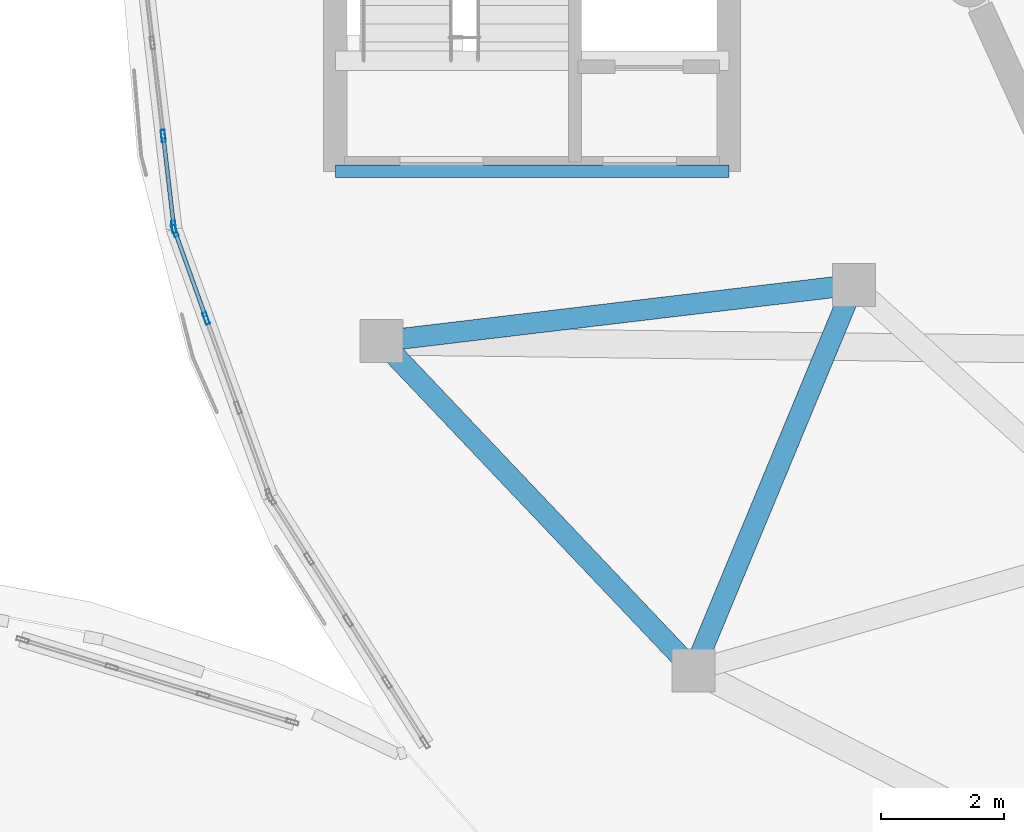
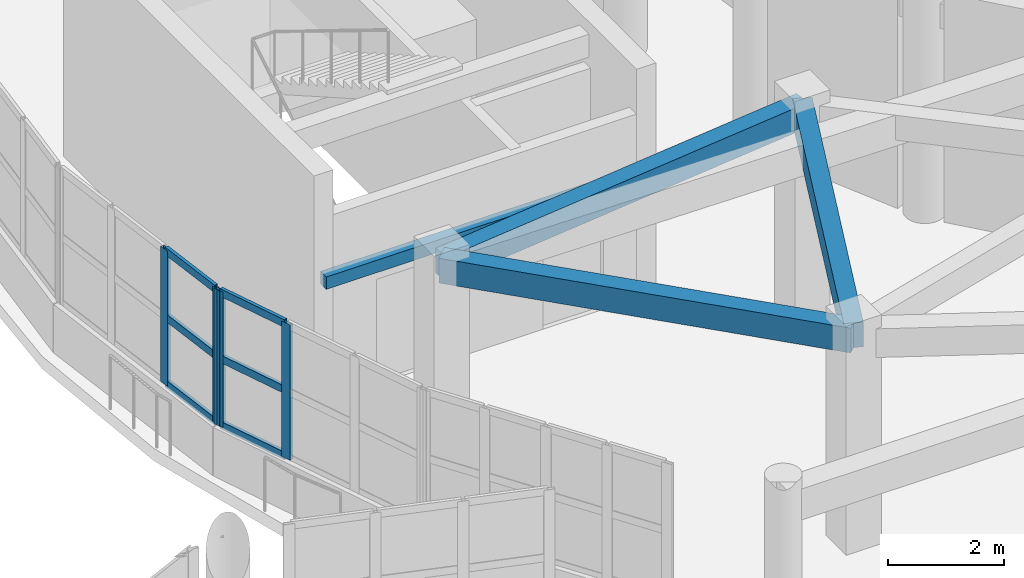
# One storey, part 36 of 98: 10 members, 4 beams, 2 elements without a shape of their own.
"""IFC4 building model written with IfcOpenShell, lengths in metres."""

from ifc_helpers import new_model, si_unit, direction, frame, origin, origin_2d, place, context, subcontext, project, spatial, rectangle, hollow_rectangle, extrude, material, layer, layer_set, material_profile, profile_set, type_object, element, aggregate, save


model = new_model("IFC4")

# Units and contexts
model_context = context("Model", 3, precision=1e-05, world=origin(), true_north=direction((0.0, 1.0)))
body_context = subcontext(model_context, "Body", "Model", "MODEL_VIEW")
ifc_project = project(units=[si_unit("LENGTHUNIT", "METRE"), si_unit("AREAUNIT", "SQUARE_METRE"), si_unit("VOLUMEUNIT", "CUBIC_METRE"), si_unit("PLANEANGLEUNIT", "RADIAN"), si_unit("MASSUNIT", "GRAM", prefix="KILO")], contexts=[model_context])

# Site, building, storey
site_placement = place(None, origin())
site = spatial("IfcSite", under=ifc_project, at=site_placement, CompositionType="ELEMENT")
building_placement = place(site_placement, origin())
building = spatial("IfcBuilding", under=site, at=building_placement, Name="Pelvatis Terrace Science Centre", CompositionType="ELEMENT")
storey_placement = place(building_placement, frame((0.0, 0.0, 5.39990234375)))
storey = spatial("IfcBuildingStorey", under=building, at=storey_placement, Name="L01", CompositionType="ELEMENT", Elevation=5.39990234375)

# Beams
ifc_material_1 = material(Name="Concrete C35/45", Category="concrete")
ifc_material_profile_1 = material_profile(ifc_material_1, rectangle(XDim=0.340087890625, YDim=0.52001953125, at=origin_2d()), Name="RC-BM 340x520")
ifc_profile_set_1 = profile_set([ifc_material_profile_1], Name="Concrete C35/45")
beam_type_1 = type_object("IfcBeamType", Name="BM-RC-340x520", PredefinedType="BEAM", material=ifc_profile_set_1)
beam_1_placement = place(storey_placement, frame((87.548583984375, 76.43798828125, 4.280029296875), z_axis=(0.688284988325, -0.725440400616, 0.0), x_axis=(0.725440400616, 0.688284988325, 0.0)))
element("IfcBeam", 1, at=beam_1_placement, inside=storey, type_object=beam_type_1, Name="Beam BM-L01-2636", PredefinedType="BEAM", context=body_context, shape_type="SweptSolid", body=[
    extrude(rectangle(XDim=0.340087890625, YDim=0.52001953125, at=origin_2d()), origin(), (0.0, 0.0, 1.0), 7.37890625),
])
beam_2_placement = place(storey_placement, frame((87.548583984375, 76.43798828125, 4.280029296875), z_axis=(0.992948179186, 0.118549202657, 0.0), x_axis=(-0.118549202657, 0.992948179186, 0.0)))
element("IfcBeam", 2, at=beam_2_placement, inside=storey, type_object=beam_type_1, Name="Beam BM-L01-2637", PredefinedType="BEAM", context=body_context, shape_type="SweptSolid", body=[
    extrude(rectangle(XDim=0.340087890625, YDim=0.52001953125, at=origin_2d()), origin(), (0.0, 0.0, 1.0), 7.737060546875),
])
beam_3_placement = place(storey_placement, frame((92.62744140625, 71.0849609375, 4.280029296875), z_axis=(0.383504415053, 0.923539042832, 0.0), x_axis=(-0.923539042832, 0.383504415053, 0.0)))
element("IfcBeam", 3, at=beam_3_placement, inside=storey, type_object=beam_type_1, Name="Beam BM-L01-2639", PredefinedType="BEAM", context=body_context, shape_type="SweptSolid", body=[
    extrude(rectangle(XDim=0.340087890625, YDim=0.52001953125, at=origin_2d()), origin(), (0.0, 0.0, 1.0), 6.789306640625),
])

# Curtain wall, members
ifc_material_2 = material(Name="Bronze-anodised aluminium and laminated glass", Category="aluminium")
ifc_layer = layer(ifc_material_2, 0.199951171875)
ifc_layer_set = layer_set([ifc_layer], Name="Bronze-anodised aluminium and laminated glass")
curtain_wall_type = type_object("IfcCurtainWallType", Name="CW-RIBBON-B", PredefinedType="NOTDEFINED", material=ifc_layer_set)
curtain_wall_1_placement = place(storey_placement, origin())
curtain_wall_1 = element("IfcCurtainWall", 4, at=curtain_wall_1_placement, inside=storey, type_object=curtain_wall_type, Name="Ribbon curtain wall CW-141 (L01)", PredefinedType="NOTDEFINED")
ifc_material_3 = material(Name="Bronze-anodised aluminium 6063-T6", Category="aluminium")
ifc_material_profile_2 = material_profile(ifc_material_3, hollow_rectangle(XDim=0.06494140625, YDim=0.199951171875, WallThickness=0.00439453125, at=origin_2d()), Name="ALU-MUL 65x200")
ifc_profile_set_2 = profile_set([ifc_material_profile_2], Name="Bronze-anodised aluminium 6063-T6")
member_type_1 = type_object("IfcMemberType", Name="CWM-65x200", PredefinedType="MULLION", material=ifc_profile_set_2)
member_1_placement = place(storey_placement, frame((84.001708984375, 79.776123046875, 1.02001953125), z_axis=(0.0, 0.0, 1.0), x_axis=(0.993307847727, 0.115496838239, 0.0)))
member_1 = element("IfcMember", 5, at=member_1_placement, type_object=member_type_1, Name="CW-141 mullion 3", PredefinedType="MULLION", context=body_context, shape_type="SweptSolid", body=[
    extrude(hollow_rectangle(XDim=0.06494140625, YDim=0.199951171875, WallThickness=0.00439453125, at=origin_2d()), origin(), (0.0, 0.0, 1.0), 2.840087890625),
])
member_2_placement = place(storey_placement, frame((84.173583984375, 78.29638671875, 1.02001953125), z_axis=(0.0, 0.0, 1.0), x_axis=(0.993307847727, 0.115496838239, 0.0)))
member_2 = element("IfcMember", 6, at=member_2_placement, type_object=member_type_1, Name="CW-141 mullion 4", PredefinedType="MULLION", context=body_context, shape_type="SweptSolid", body=[
    extrude(hollow_rectangle(XDim=0.06494140625, YDim=0.199951171875, WallThickness=0.00439453125, at=origin_2d()), origin(), (0.0, 0.0, 1.0), 2.840087890625),
])

curtain_wall_2_placement = place(storey_placement, origin())
curtain_wall_2 = element("IfcCurtainWall", 7, at=curtain_wall_2_placement, inside=storey, type_object=curtain_wall_type, Name="Ribbon curtain wall CW-142 (L01)", PredefinedType="NOTDEFINED")
member_3_placement = place(storey_placement, frame((84.1884765625, 78.233642578125, 1.02001953125), z_axis=(0.0, 0.0, 1.0), x_axis=(0.941441694511, 0.337175823328, 0.0)))
member_3 = element("IfcMember", 8, at=member_3_placement, type_object=member_type_1, Name="CW-142 mullion 1", PredefinedType="MULLION", context=body_context, shape_type="SweptSolid", body=[
    extrude(hollow_rectangle(XDim=0.06494140625, YDim=0.199951171875, WallThickness=0.00439453125, at=origin_2d()), origin(), (0.0, 0.0, 1.0), 2.840087890625),
])
member_4_placement = place(storey_placement, frame((84.697998046875, 76.810302734375, 1.02001953125), z_axis=(0.0, 0.0, 1.0), x_axis=(0.941441694511, 0.337175823328, 0.0)))
member_4 = element("IfcMember", 9, at=member_4_placement, type_object=member_type_1, Name="CW-142 mullion 2", PredefinedType="MULLION", context=body_context, shape_type="SweptSolid", body=[
    extrude(hollow_rectangle(XDim=0.06494140625, YDim=0.199951171875, WallThickness=0.00439453125, at=origin_2d()), origin(), (0.0, 0.0, 1.0), 2.840087890625),
])

# Member
ifc_material_4 = material(Name="Bronze-anodised aluminium 6063-T6", Category="aluminium")
ifc_material_profile_3 = material_profile(ifc_material_4, hollow_rectangle(XDim=0.06494140625, YDim=0.159912109375, WallThickness=0.00390625, at=origin_2d()), Name="ALU-TRN 65x160")
ifc_profile_set_3 = profile_set([ifc_material_profile_3], Name="Bronze-anodised aluminium 6063-T6")
member_type_2 = type_object("IfcMemberType", Name="CWT-65x160", PredefinedType="USERDEFINED", material=ifc_profile_set_3)
member_5_placement = place(storey_placement, frame((84.00537109375, 79.743896484375, 1.052490234375), z_axis=(0.1155087229, -0.993306465767, 0.0), x_axis=(0.993306465767, 0.1155087229, 0.0)))
member_5 = element("IfcMember", 10, at=member_5_placement, type_object=member_type_2, Name="CW-141 transom 3.1", ObjectType="TRANSOM", PredefinedType="USERDEFINED", context=body_context, shape_type="SweptSolid", body=[
    extrude(hollow_rectangle(XDim=0.06494140625, YDim=0.159912109375, WallThickness=0.00390625, at=origin_2d()), origin(), (0.0, 0.0, 1.0), 1.424560546875),
])

member_6_placement = place(storey_placement, frame((84.00537109375, 79.743896484375, 2.440185546875), z_axis=(0.1155087229, -0.993306465767, 0.0), x_axis=(0.993306465767, 0.1155087229, 0.0)))
member_6 = element("IfcMember", 11, at=member_6_placement, type_object=member_type_2, Name="CW-141 transom 3.2", ObjectType="TRANSOM", PredefinedType="USERDEFINED", context=body_context, shape_type="SweptSolid", body=[
    extrude(hollow_rectangle(XDim=0.06494140625, YDim=0.159912109375, WallThickness=0.00390625, at=origin_2d()), origin(), (0.0, 0.0, 1.0), 1.424560546875),
])

member_7_placement = place(storey_placement, frame((84.00537109375, 79.743896484375, 3.82763671875), z_axis=(0.1155087229, -0.993306465767, 0.0), x_axis=(0.993306465767, 0.1155087229, 0.0)))
member_7 = element("IfcMember", 12, at=member_7_placement, type_object=member_type_2, Name="CW-141 transom 3.3", ObjectType="TRANSOM", PredefinedType="USERDEFINED", context=body_context, shape_type="SweptSolid", body=[
    extrude(hollow_rectangle(XDim=0.06494140625, YDim=0.159912109375, WallThickness=0.00390625, at=origin_2d()), origin(), (0.0, 0.0, 1.0), 1.424560546875),
])

aggregate(curtain_wall_1, [member_1, member_2, member_5, member_6, member_7])

member_8_placement = place(storey_placement, frame((84.19921875, 78.203125, 1.052490234375), z_axis=(0.337255373909, -0.941413199806, 0.0), x_axis=(0.941413199806, 0.337255373909, 0.0)))
member_8 = element("IfcMember", 13, at=member_8_placement, type_object=member_type_2, Name="CW-142 transom 1.1", ObjectType="TRANSOM", PredefinedType="USERDEFINED", context=body_context, shape_type="SweptSolid", body=[
    extrude(hollow_rectangle(XDim=0.06494140625, YDim=0.159912109375, WallThickness=0.00390625, at=origin_2d()), origin(), (0.0, 0.0, 1.0), 1.447021484375),
])

member_9_placement = place(storey_placement, frame((84.19921875, 78.203125, 2.440185546875), z_axis=(0.337255373909, -0.941413199806, 0.0), x_axis=(0.941413199806, 0.337255373909, 0.0)))
member_9 = element("IfcMember", 14, at=member_9_placement, type_object=member_type_2, Name="CW-142 transom 1.2", ObjectType="TRANSOM", PredefinedType="USERDEFINED", context=body_context, shape_type="SweptSolid", body=[
    extrude(hollow_rectangle(XDim=0.06494140625, YDim=0.159912109375, WallThickness=0.00390625, at=origin_2d()), origin(), (0.0, 0.0, 1.0), 1.447021484375),
])

member_10_placement = place(storey_placement, frame((84.19921875, 78.203125, 3.82763671875), z_axis=(0.337255373909, -0.941413199806, 0.0), x_axis=(0.941413199806, 0.337255373909, 0.0)))
member_10 = element("IfcMember", 15, at=member_10_placement, type_object=member_type_2, Name="CW-142 transom 1.3", ObjectType="TRANSOM", PredefinedType="USERDEFINED", context=body_context, shape_type="SweptSolid", body=[
    extrude(hollow_rectangle(XDim=0.06494140625, YDim=0.159912109375, WallThickness=0.00390625, at=origin_2d()), origin(), (0.0, 0.0, 1.0), 1.447021484375),
])

aggregate(curtain_wall_2, [member_3, member_4, member_8, member_9, member_10])

# Beam
ifc_material_5 = material(Name="Concrete C35/45", Category="concrete")
ifc_material_profile_4 = material_profile(ifc_material_5, rectangle(XDim=0.199951171875, YDim=0.260009765625, at=origin_2d()), Name="RC-LNT 200x260")
ifc_profile_set_4 = profile_set([ifc_material_profile_4], Name="Concrete C35/45")
beam_type_2 = type_object("IfcBeamType", Name="LNT-RC-200x260", PredefinedType="LINTEL", material=ifc_profile_set_4)
beam_4_placement = place(storey_placement, frame((86.800048828125, 79.199951171875, 2.550048828125), z_axis=(1.0, 0.0, 0.0), x_axis=(0.0, 1.0, 0.0)))
element("IfcBeam", 16, at=beam_4_placement, inside=storey, type_object=beam_type_2, Name="Core C1 lobby structural lintel (L01)", PredefinedType="LINTEL", context=body_context, shape_type="SweptSolid", body=[
    extrude(rectangle(XDim=0.199951171875, YDim=0.260009765625, at=origin_2d()), origin(), (0.0, 0.0, 1.0), 6.39990234375),
])

save(model, "model.ifc")
